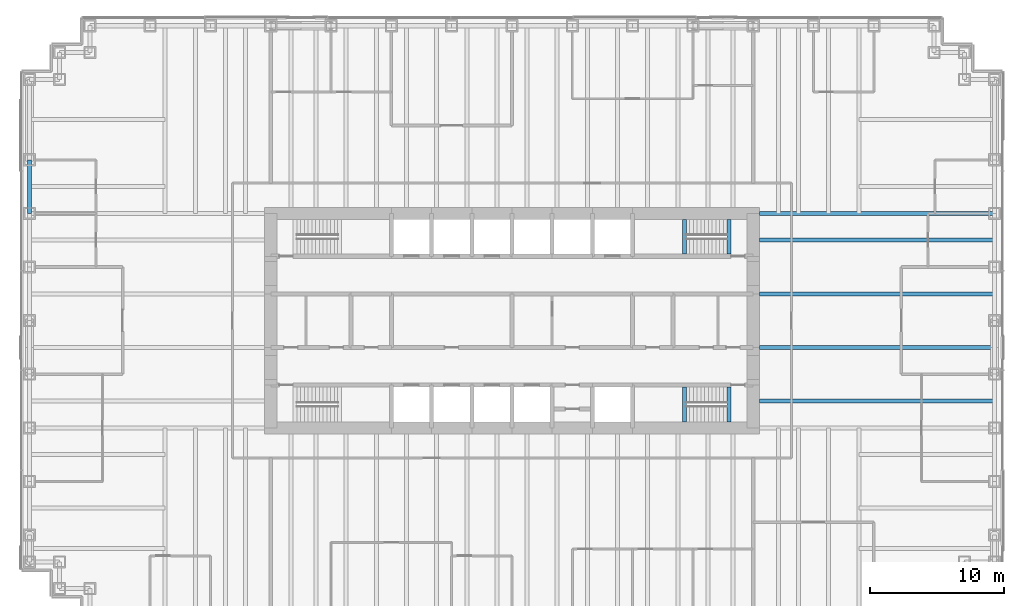
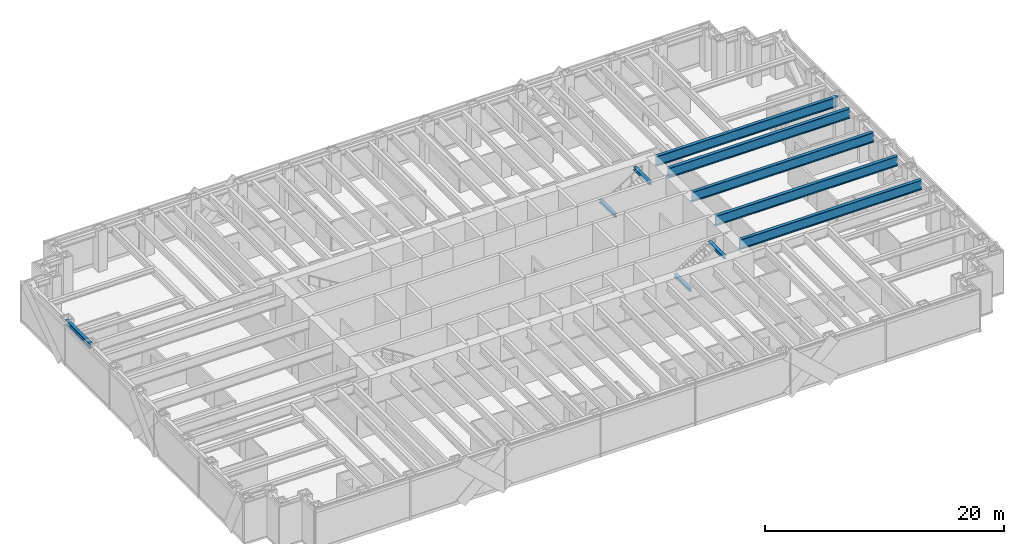
# One storey, part 5 of 17: 10 beams.
"""IFC4 building model written with IfcOpenShell, lengths in metres."""

from ifc_helpers import new_model, si_unit, direction, frame, origin, origin_2d, place, context, subcontext, project, spatial, i_section, extrude, material, material_profile, profile_set, type_object, element, save


model = new_model("IFC4")

# Units and contexts
model_context = context("Model", 3, precision=1e-05, world=origin(), true_north=direction((0.0, 1.0)))
body_context = subcontext(model_context, "Body", "Model", "MODEL_VIEW")
ifc_project = project(units=[si_unit("LENGTHUNIT", "METRE"), si_unit("AREAUNIT", "SQUARE_METRE"), si_unit("VOLUMEUNIT", "CUBIC_METRE"), si_unit("PLANEANGLEUNIT", "RADIAN"), si_unit("MASSUNIT", "GRAM", prefix="KILO")], contexts=[model_context])

# Site, building, storey
site_placement = place(None, origin())
site = spatial("IfcSite", under=ifc_project, at=site_placement, CompositionType="ELEMENT")
building_placement = place(site_placement, origin())
building = spatial("IfcBuilding", under=site, at=building_placement, Name="Rheinbord Bourse Tower", CompositionType="ELEMENT")
storey_placement = place(building_placement, frame((0.0, 0.0, 138.300048828125)))
storey = spatial("IfcBuildingStorey", under=building, at=storey_placement, Name="L30", CompositionType="ELEMENT", Elevation=138.300048828125)

# Beams
ifc_material_1 = material(Name="Steel S460", Category="steel")
ifc_material_profile_1 = material_profile(ifc_material_1, i_section(OverallWidth=0.302001953125, OverallDepth=1.008056640625, WebThickness=0.02099609375, FlangeThickness=0.0400390625, at=origin_2d()), Name="HEM 1000")
ifc_profile_set_1 = profile_set([ifc_material_profile_1], Name="Steel S460")
beam_type_1 = type_object("IfcBeamType", Name="END BEAM HEM 1000", PredefinedType="BEAM", material=ifc_profile_set_1)
for number, where, z_axis, x_axis, name in (
    (1, (54.449951171875, 18.0, 3.535888671875), (1.0, 0.0, 0.0), (0.0, 1.0, 0.0), "End beam east 18 L31"),
    (2, (54.449951171875, 22.0, 3.535888671875), (1.0, 0.0, 0.0), (0.0, 1.0, 0.0), "End beam east 22 L31"),
    (3, (54.449951171875, 26.0, 3.535888671875), (1.0, 0.0, 0.0), (0.0, 1.0, 0.0), "End beam east 26 L31"),
    (4, (54.449951171875, 30.0, 3.535888671875), (1.0, 0.0, 0.0), (0.0, 1.0, 0.0), "End beam east 30 L31"),
):
    element("IfcBeam", number, at=place(storey_placement, frame(where, z_axis=z_axis, x_axis=x_axis)), inside=storey, type_object=beam_type_1, Name=name, PredefinedType="BEAM", context=body_context, shape_type="SweptSolid", body=[
        extrude(i_section(OverallWidth=0.302001953125, OverallDepth=1.008056640625, WebThickness=0.02099609375, FlangeThickness=0.0400390625, at=origin_2d()), origin(), (0.0, 0.0, 1.0), 17.550048828125),
    ])
ifc_material_2 = material(Name="Steel S460", Category="steel")
ifc_material_profile_2 = material_profile(ifc_material_2, i_section(OverallWidth=0.302001953125, OverallDepth=1.008056640625, WebThickness=0.02099609375, FlangeThickness=0.0400390625, at=origin_2d()), Name="HEM 1000")
ifc_profile_set_2 = profile_set([ifc_material_profile_2], Name="Steel S460")
beam_type_2 = type_object("IfcBeamType", Name="GIRDER HEM 1000", PredefinedType="BEAM", material=ifc_profile_set_2)
beam_1_placement = place(storey_placement, frame((54.449951171875, 32.0, 3.535888671875), z_axis=(1.0, 0.0, 0.0), x_axis=(0.0, 1.0, 0.0)))
element("IfcBeam", 5, at=beam_1_placement, inside=storey, type_object=beam_type_2, Name="Girder east 32 L31", PredefinedType="BEAM", context=body_context, shape_type="SweptSolid", body=[
    extrude(i_section(OverallWidth=0.302001953125, OverallDepth=1.008056640625, WebThickness=0.02099609375, FlangeThickness=0.0400390625, at=origin_2d()), origin(), (0.0, 0.0, 1.0), 17.550048828125),
])
ifc_material_3 = material(Name="Steel S460", Category="steel")
ifc_material_profile_3 = material_profile(ifc_material_3, i_section(OverallWidth=0.300048828125, OverallDepth=0.300048828125, WebThickness=0.010986328125, FlangeThickness=0.01904296875, at=origin_2d()), Name="HEB 300")
ifc_profile_set_3 = profile_set([ifc_material_profile_3], Name="Steel S460")
beam_type_3 = type_object("IfcBeamType", Name="LANDING TRIMMER HEB 300", PredefinedType="BEAM", material=ifc_profile_set_3)
for number, where, z_axis, x_axis, name in (
    (6, (48.8701171875, 16.449951171875, 1.75), (0.0, 1.0, 0.0), (-1.0, 0.0, 0.0), "Landing trimmer ST3 L30"),
    (7, (52.199951171875, 16.449951171875, 3.889892578125), (0.0, 1.0, 0.0), (-1.0, 0.0, 0.0), "Well trimmer ST3 under L31"),
    (8, (48.8701171875, 28.949951171875, 1.75), (0.0, 1.0, 0.0), (-1.0, 0.0, 0.0), "Landing trimmer ST4 L30"),
    (9, (52.199951171875, 28.949951171875, 3.889892578125), (0.0, 1.0, 0.0), (-1.0, 0.0, 0.0), "Well trimmer ST4 under L31"),
):
    element("IfcBeam", number, at=place(storey_placement, frame(where, z_axis=z_axis, x_axis=x_axis)), inside=storey, type_object=beam_type_3, Name=name, PredefinedType="BEAM", context=body_context, shape_type="SweptSolid", body=[
        extrude(i_section(OverallWidth=0.300048828125, OverallDepth=0.300048828125, WebThickness=0.010986328125, FlangeThickness=0.01904296875, at=origin_2d()), origin(), (0.0, 0.0, 1.0), 2.60009765625),
    ])
ifc_material_4 = material(Name="Steel S460", Category="steel")
ifc_material_profile_4 = material_profile(ifc_material_4, i_section(OverallWidth=0.305908203125, OverallDepth=0.572021484375, WebThickness=0.02099609375, FlangeThickness=0.0400390625, at=origin_2d()), Name="HEM 550")
ifc_profile_set_4 = profile_set([ifc_material_profile_4], Name="Steel S460")
beam_type_4 = type_object("IfcBeamType", Name="SPANDREL HEM 550", PredefinedType="SPANDREL", material=ifc_profile_set_4)
beam_2_placement = place(storey_placement, frame((0.0, 36.0, 3.75390625), z_axis=(0.0, -1.0, 0.0), x_axis=(1.0, 0.0, 0.0)))
element("IfcBeam", 10, at=beam_2_placement, inside=storey, type_object=beam_type_4, Name="Spandrel W-36-W-32 under L31", PredefinedType="SPANDREL", context=body_context, shape_type="SweptSolid", body=[
    extrude(i_section(OverallWidth=0.305908203125, OverallDepth=0.572021484375, WebThickness=0.02099609375, FlangeThickness=0.0400390625, at=origin_2d()), origin(), (0.0, 0.0, 1.0), 4.0),
])

save(model, "model.ifc")
